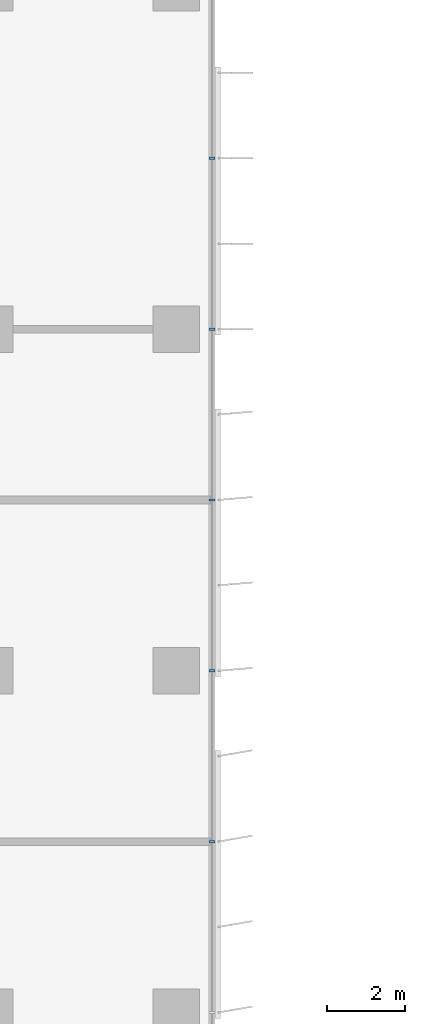
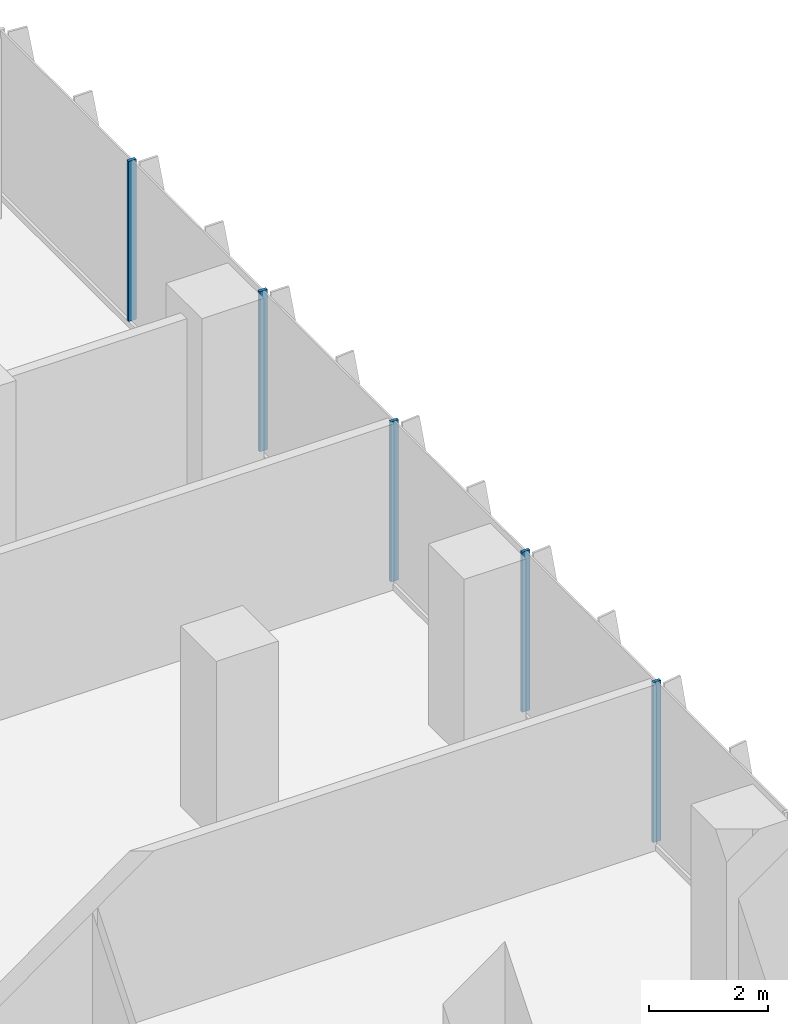
# One storey, part 5 of 22: 5 members, 1 element without a shape of its own.
"""IFC4 building model written with IfcOpenShell, lengths in metres."""

from ifc_helpers import new_model, si_unit, direction, frame, origin, origin_2d, place, context, subcontext, project, spatial, rectangle, extrude, source, transform, mapped, material, material_profile, profile_set, type_object, element, aggregate, save


model = new_model("IFC4")

# Units and contexts
model_context = context("Model", 3, precision=1e-05, world=origin(), true_north=direction((0.0, 1.0)))
body_context = subcontext(model_context, "Body", "Model", "MODEL_VIEW")
ifc_project = project(units=[si_unit("LENGTHUNIT", "METRE"), si_unit("AREAUNIT", "SQUARE_METRE"), si_unit("VOLUMEUNIT", "CUBIC_METRE"), si_unit("PLANEANGLEUNIT", "RADIAN"), si_unit("MASSUNIT", "GRAM", prefix="KILO")], contexts=[model_context])

# Site, building, storey
site_placement = place(None, origin())
site = spatial("IfcSite", under=ifc_project, at=site_placement, CompositionType="ELEMENT")
building_placement = place(site_placement, origin())
building = spatial("IfcBuilding", under=site, at=building_placement, Name="Kemantara Hotel Tower", CompositionType="ELEMENT")
storey_placement = place(building_placement, frame((0.0, 0.0, 90.800048828125)))
storey = spatial("IfcBuildingStorey", under=building, at=storey_placement, Name="L21", CompositionType="ELEMENT", Elevation=90.800048828125)

# Curtain wall, members
ifc_material_1 = material(Name="Low-E tinted double insulated glass 36 mm", Category="glass")
curtain_wall_type = type_object("IfcCurtainWallType", Name="TOWER CURTAIN WALL, FRONT FACES", PredefinedType="USERDEFINED", material=ifc_material_1)
curtain_wall_placement = place(storey_placement, origin())
curtain_wall = element("IfcCurtainWall", 1, at=curtain_wall_placement, inside=storey, type_object=curtain_wall_type, Name="CW4 L21 T2-R14-1", ObjectType="TOWER CURTAIN WALL, FRONT FACES", PredefinedType="USERDEFINED")
ifc_material_2 = material(Name="Aluminium 6063-T6 bronze anodised", Category="aluminium")
ifc_material_profile = material_profile(ifc_material_2, rectangle(XDim=0.14990234375, YDim=0.06005859375, at=origin_2d()), Name="TOWER CURTAIN WALL, FRONT FACES MULLION")
ifc_profile_set = profile_set([ifc_material_profile], Name="Aluminium 6063-T6 bronze anodised")
member_type = type_object("IfcMemberType", Name="TOWER CURTAIN WALL, FRONT FACES MULLION", PredefinedType="MULLION", material=ifc_profile_set)
shared_shape = source(origin(), body_context, "Body", "SweptSolid", [
    extrude(rectangle(XDim=0.14990234375, YDim=0.06005859375, at=origin_2d()), origin(), (0.0, 0.0, 1.0), 3.280029296875),
])
member_1_placement = place(storey_placement, frame((26.72509765625, 31.800048828125, 0.119873046875), z_axis=(0.0, 0.0, 1.0), x_axis=(-1.0, 0.0, 0.0)))
member_1 = element("IfcMember", 2, at=member_1_placement, type_object=member_type, Name="CW4 mullion T2-R14-1.4", PredefinedType="MULLION", context=body_context, shape_type="MappedRepresentation", body=[
    mapped(shared_shape, transform((0.0, 0.0, 0.0))),
])
member_2_placement = place(storey_placement, frame((26.72509765625, 36.199951171875, 0.119873046875), z_axis=(0.0, 0.0, 1.0), x_axis=(-1.0, 0.0, 0.0)))
member_2 = element("IfcMember", 3, at=member_2_placement, type_object=member_type, Name="CW4 mullion T2-R14-1.5", PredefinedType="MULLION", context=body_context, shape_type="MappedRepresentation", body=[
    mapped(shared_shape, transform((0.0, 0.0, 0.0))),
])
member_3_placement = place(storey_placement, frame((26.72509765625, 40.60009765625, 0.119873046875), z_axis=(0.0, 0.0, 1.0), x_axis=(-1.0, 0.0, 0.0)))
member_3 = element("IfcMember", 4, at=member_3_placement, type_object=member_type, Name="CW4 mullion T2-R14-1.6", PredefinedType="MULLION", context=body_context, shape_type="MappedRepresentation", body=[
    mapped(shared_shape, transform((0.0, 0.0, 0.0))),
])
member_4_placement = place(storey_placement, frame((26.72509765625, 45.0, 0.119873046875), z_axis=(0.0, 0.0, 1.0), x_axis=(-1.0, 0.0, 0.0)))
member_4 = element("IfcMember", 5, at=member_4_placement, type_object=member_type, Name="CW4 mullion T2-R14-1.7", PredefinedType="MULLION", context=body_context, shape_type="MappedRepresentation", body=[
    mapped(shared_shape, transform((0.0, 0.0, 0.0))),
])
member_5_placement = place(storey_placement, frame((26.72509765625, 49.39990234375, 0.119873046875), z_axis=(0.0, 0.0, 1.0), x_axis=(-1.0, 0.0, 0.0)))
member_5 = element("IfcMember", 6, at=member_5_placement, type_object=member_type, Name="CW4 mullion T2-R14-1.8", PredefinedType="MULLION", context=body_context, shape_type="MappedRepresentation", body=[
    mapped(shared_shape, transform((0.0, 0.0, 0.0))),
])
aggregate(curtain_wall, [member_1, member_2, member_3, member_4, member_5])

save(model, "model.ifc")
